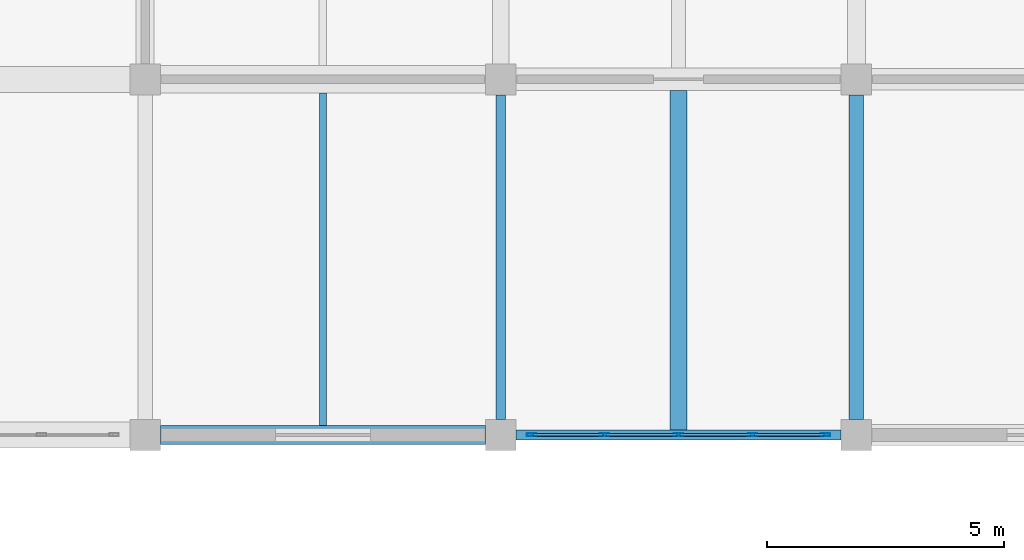
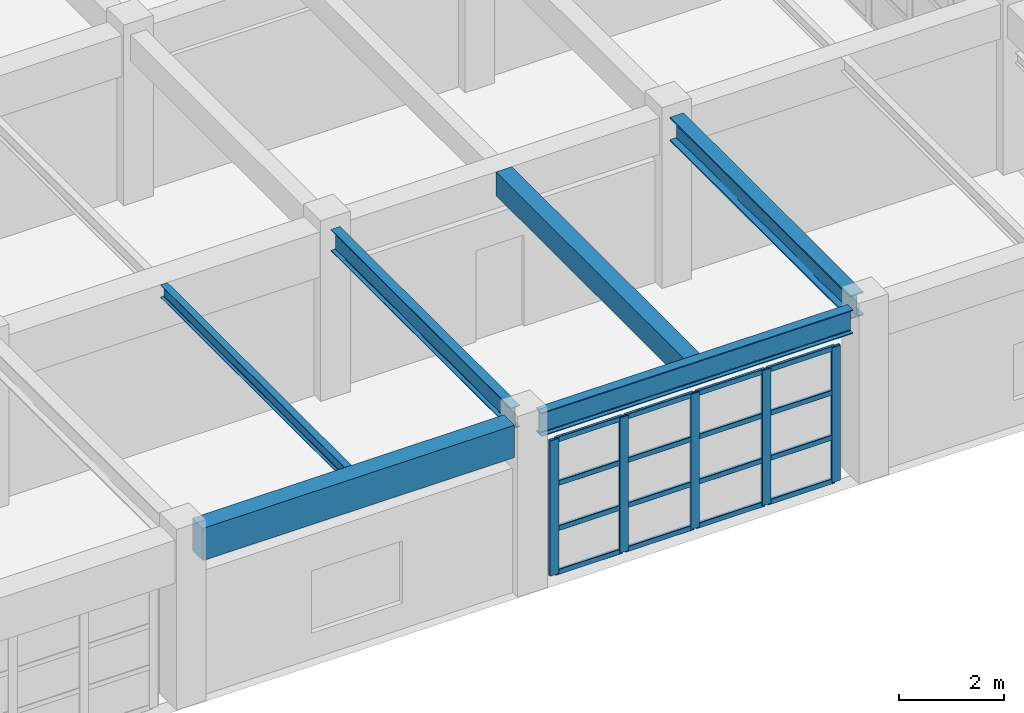
# One storey, part 45 of 132: 21 members, 6 beams, 1 element without a shape of its own.
"""IFC4 building model written with IfcOpenShell, lengths in metres."""

import ifcopenshell
import ifcopenshell.guid

model = None  # the IFC model being written
_history = None  # IfcOwnerHistory: only IFC2X3 demands one
_inside = {}  # id of a spatial element -> (the spatial element, [elements in it])
_under = {}  # id of a project, library or spatial element -> (it, [spatial elements below it])
_declared = {}  # id of a project -> (the project, [libraries it declares])
_typed = {}  # id of a type object -> (the type object, [elements of that type])
_made_of = {}  # id of a material, layer set ... -> (it, [elements and type objects made of it])


def new_model(schema):
    """Start an empty IFC model of exactly this schema.

    Asked for "IFC4X3", IfcOpenShell would pick the latest addendum, in which some entities
    have other attributes; the version numbers below select the first issue.
    IFC2X3 requires an IfcOwnerHistory on every rooted entity: one is made here for all.
    """
    global model, _history
    if schema == "IFC4X3":
        model = ifcopenshell.file(schema_version=(4, 3, 0, 0))
    else:
        model = ifcopenshell.file(schema=schema)
    _inside.clear()
    _under.clear()
    _declared.clear()
    _typed.clear()
    _made_of.clear()
    _history = None
    if model.schema == "IFC2X3":
        org = make("IfcOrganization", Name="unknown")
        user = make(
            "IfcPersonAndOrganization",
            ThePerson=make("IfcPerson", FamilyName="unknown"),
            TheOrganization=org,
        )
        app = make(
            "IfcApplication",
            ApplicationDeveloper=org,
            Version="unknown",
            ApplicationFullName="unknown",
            ApplicationIdentifier="unknown",
        )
        _history = make(
            "IfcOwnerHistory",
            OwningUser=user,
            OwningApplication=app,
            ChangeAction="ADDED",
            CreationDate=0,
        )
    return model


def make(cls, **values):
    """One entity of the class cls with the attributes given. An attribute that is None is left unset."""
    return model.create_entity(
        cls, **{name: value for name, value in values.items() if value is not None}
    )


def rooted(cls, **values):
    """An entity with a GlobalId (a new one), such as an element, a storey or a relation."""
    return make(cls, GlobalId=ifcopenshell.guid.new(), OwnerHistory=_history, **values)


def si_unit(unit_type, name, prefix=None):
    """IfcSIUnit, for example si_unit("LENGTHUNIT", "METRE", prefix="MILLI")."""
    return make("IfcSIUnit", UnitType=unit_type, Prefix=prefix, Name=name)


def assignment(units):
    """IfcUnitAssignment: the units of a project."""
    return None if units is None else make("IfcUnitAssignment", Units=units)


def point(xyz):
    """IfcCartesianPoint."""
    return None if xyz is None else make("IfcCartesianPoint", Coordinates=xyz)


def direction(xyz):
    """IfcDirection."""
    return None if xyz is None else make("IfcDirection", DirectionRatios=xyz)


def frame(location, z_axis=None, x_axis=None):
    """IfcAxis2Placement3D, a coordinate frame: its origin and axes. An axis left out is left unset."""
    return make(
        "IfcAxis2Placement3D",
        Location=point(location),
        Axis=direction(z_axis),
        RefDirection=direction(x_axis),
    )


def frame_2d(location, x_axis=None):
    """IfcAxis2Placement2D, a coordinate frame in the plane: its origin and x axis."""
    return make(
        "IfcAxis2Placement2D", Location=point(location), RefDirection=direction(x_axis)
    )


def origin():
    """The frame at (0, 0, 0) with its axes left unset."""
    return frame((0.0, 0.0, 0.0))


def origin_2d():
    """The frame at (0, 0) in the plane with its x axis left unset."""
    return frame_2d((0.0, 0.0))


def place(relative_to, where):
    """IfcLocalPlacement: puts the frame where relative to a parent placement (None: the world)."""
    return make(
        "IfcLocalPlacement", PlacementRelTo=relative_to, RelativePlacement=where
    )


def context(
    kind, dimensions, precision=None, world=None, true_north=None, identifier=None
):
    """IfcGeometricRepresentationContext, for example the 3D "Model" context."""
    return make(
        "IfcGeometricRepresentationContext",
        ContextIdentifier=identifier,
        ContextType=kind,
        CoordinateSpaceDimension=dimensions,
        Precision=precision,
        WorldCoordinateSystem=world,
        TrueNorth=true_north,
    )


def subcontext(parent, identifier, kind, view, scale=None):
    """IfcGeometricRepresentationSubContext, for example "Body" below "Model"."""
    return make(
        "IfcGeometricRepresentationSubContext",
        ContextIdentifier=identifier,
        ContextType=kind,
        ParentContext=parent,
        TargetScale=scale,
        TargetView=view,
    )


def project(units=None, contexts=None):
    """IfcProject with its units and contexts."""
    return rooted(
        "IfcProject",
        Name="project",
        RepresentationContexts=contexts,
        UnitsInContext=assignment(units),
    )


def spatial(cls, under=None, at=None, **own):
    """A site, building, storey or space (cls), placed at a placement, below another one or the project."""
    s = rooted(cls, ObjectPlacement=at, **own)
    if under is not None:
        _under.setdefault(under.id(), (under, []))[1].append(s)
    return s


def profile(cls, at=None, kind="AREA", **sizes):
    """A parametric profile (cls). Its sizes go by their IFC names, for example OverallWidth=200.0."""
    return make(cls, ProfileType=kind, Position=at, **sizes)


def rectangle(**sizes):
    """IfcRectangleProfileDef."""
    return profile("IfcRectangleProfileDef", **sizes)


def hollow_rectangle(**sizes):
    """IfcRectangleHollowProfileDef."""
    return profile("IfcRectangleHollowProfileDef", **sizes)


def i_section(**sizes):
    """IfcIShapeProfileDef."""
    return profile("IfcIShapeProfileDef", **sizes)


def extrude(swept, where, along, depth):
    """IfcExtrudedAreaSolid: the profile swept, set in the frame where, extruded along a direction by depth."""
    return make(
        "IfcExtrudedAreaSolid",
        SweptArea=swept,
        Position=where,
        ExtrudedDirection=direction(along),
        Depth=depth,
    )


def shape(context_of_items, identifier, shape_type, items):
    """IfcShapeRepresentation: the items that make up one representation, for example the "Body"."""
    return make(
        "IfcShapeRepresentation",
        ContextOfItems=context_of_items,
        RepresentationIdentifier=identifier,
        RepresentationType=shape_type,
        Items=items,
    )


def material(Name=None, Category=None):
    """IfcMaterial."""
    return make("IfcMaterial", Name=Name, Category=Category)


def material_profile(
    of_material, cross_section, Name=None, Category=None, Priority=None
):
    """IfcMaterialProfile: a cross section and its material."""
    return make(
        "IfcMaterialProfile",
        Name=Name,
        Material=of_material,
        Profile=cross_section,
        Priority=Priority,
        Category=Category,
    )


def profile_set(profiles, Name=None, composite=None):
    """IfcMaterialProfileSet."""
    return make(
        "IfcMaterialProfileSet",
        Name=Name,
        MaterialProfiles=profiles,
        CompositeProfile=composite,
    )


def made_of(thing, what):
    """Note that an element or type object is made of a material, layer set ...; save() writes the relation."""
    if what is not None:
        _made_of.setdefault(what.id(), (what, []))[1].append(thing)
    return thing


def type_object(cls, material=None, **own):
    """A type object (cls), such as IfcWallType, which elements share."""
    return made_of(rooted(cls, **own), material)


def element(
    cls,
    number,
    at=None,
    inside=None,
    cuts=None,
    type_object=None,
    material=None,
    context=None,
    identifier="Body",
    shape_type=None,
    held_by="IfcProductDefinitionShape",
    body=None,
    shapes=None,
    **own,
):
    """One element of the class cls, such as IfcWall. Its Tag is "e" and its number.

    at: its placement. inside: the storey or other place that contains it. cuts: it is an
    opening in that element (IfcRelVoidsElement). A single representation is given by context,
    identifier, shape_type and body (its items); several are given by shapes. held_by: the class
    of the entity that holds the representations. save() writes the other relations.
    """
    e = rooted(cls, Tag="e%d" % number, ObjectPlacement=at, **own)
    if body is not None:
        shapes = [shape(context, identifier, shape_type, body)]
    if shapes is not None:
        e.Representation = make(held_by, Representations=shapes)
    if inside is not None:
        _inside.setdefault(inside.id(), (inside, []))[1].append(e)
    if cuts is not None:
        rooted(
            "IfcRelVoidsElement", RelatingBuildingElement=cuts, RelatedOpeningElement=e
        )
    if type_object is not None:
        _typed.setdefault(type_object.id(), (type_object, []))[1].append(e)
    return made_of(e, material)


def aggregate(whole, parts):
    """IfcRelAggregates: a whole, such as a stair, and the parts it consists of."""
    return rooted("IfcRelAggregates", RelatingObject=whole, RelatedObjects=parts)


def save(model, path):
    """Write the relations noted so far, then the file.

    IfcRelAggregates (storeys below a building ...), IfcRelContainedInSpatialStructure (elements
    in a storey), IfcRelDefinesByType, IfcRelAssociatesMaterial and IfcRelDeclares: one each for
    every whole, place, type object, material and project.
    """
    for whole, parts in _under.values():
        aggregate(whole, parts)
    for where, things in _inside.values():
        rooted(
            "IfcRelContainedInSpatialStructure",
            RelatedElements=things,
            RelatingStructure=where,
        )
    for kind, things in _typed.values():
        rooted("IfcRelDefinesByType", RelatedObjects=things, RelatingType=kind)
    for what, things in _made_of.values():
        rooted("IfcRelAssociatesMaterial", RelatedObjects=things, RelatingMaterial=what)
    for by, libraries in _declared.values():
        rooted("IfcRelDeclares", RelatingContext=by, RelatedDefinitions=libraries)
    model.write(path)


model = new_model("IFC4")

# Units and contexts
model_context = context("Model", 3, precision=1e-05, world=origin(), true_north=direction((0.0, 1.0)))
body_context = subcontext(model_context, "Body", "Model", "MODEL_VIEW")
ifc_project = project(units=[si_unit("LENGTHUNIT", "METRE"), si_unit("AREAUNIT", "SQUARE_METRE"), si_unit("VOLUMEUNIT", "CUBIC_METRE"), si_unit("PLANEANGLEUNIT", "RADIAN"), si_unit("MASSUNIT", "GRAM", prefix="KILO")], contexts=[model_context])

# Site, building, storey
site_placement = place(None, origin())
site = spatial("IfcSite", under=ifc_project, at=site_placement, CompositionType="ELEMENT")
building_placement = place(site_placement, origin())
building = spatial("IfcBuilding", under=site, at=building_placement, Name="Qasida Concert Hall", CompositionType="ELEMENT")
storey_placement = place(building_placement, frame((0.0, 0.0, 4.800048828125)))
storey = spatial("IfcBuildingStorey", under=building, at=storey_placement, Name="L01", CompositionType="ELEMENT", Elevation=4.800048828125)

# Beams
ifc_material_1 = material(Name="Steel S355J2", Category="steel")
ifc_material_profile_1 = material_profile(ifc_material_1, i_section(OverallWidth=0.300048828125, OverallDepth=0.550048828125, WebThickness=0.014892578125, FlangeThickness=0.029052734375, FilletRadius=0.027099609375, at=origin_2d()), Name="HEB 550")
ifc_profile_set_1 = profile_set([ifc_material_profile_1], Name="Steel S355J2")
beam_type_1 = type_object("IfcBeamType", Name="BM-B12", PredefinedType="BEAM", material=ifc_profile_set_1)
beam_1_placement = place(storey_placement, frame((30.0, 75.324951171875, 3.64501953125), z_axis=(0.0, 1.0, 0.0), x_axis=(-1.0, 0.0, 0.0)))
element("IfcBeam", 1, at=beam_1_placement, inside=storey, type_object=beam_type_1, Name="L01 girder 1104", PredefinedType="BEAM", context=body_context, shape_type="SweptSolid", body=[
    extrude(i_section(OverallWidth=0.300048828125, OverallDepth=0.550048828125, WebThickness=0.014892578125, FlangeThickness=0.029052734375, FilletRadius=0.027099609375, at=origin_2d()), origin(), (0.0, 0.0, 1.0), 6.85009765625),
])
ifc_material_profile_2 = material_profile(ifc_material_1, i_section(OverallWidth=0.199951171875, OverallDepth=0.5, WebThickness=0.01025390625, FlangeThickness=0.01611328125, FilletRadius=0.02099609375, at=origin_2d()), Name="IPE 500")
ifc_profile_set_2 = profile_set([ifc_material_profile_2], Name="Steel S355J2")
beam_type_2 = type_object("IfcBeamType", Name="BM-B4", PredefinedType="BEAM", material=ifc_profile_set_2)
beam_2_placement = place(storey_placement, frame((22.5, 75.324951171875, 3.669921875), z_axis=(0.0, 1.0, 0.0), x_axis=(-1.0, 0.0, 0.0)))
element("IfcBeam", 2, at=beam_2_placement, inside=storey, type_object=beam_type_2, Name="L01 girder 1099", PredefinedType="BEAM", context=body_context, shape_type="SweptSolid", body=[
    extrude(i_section(OverallWidth=0.199951171875, OverallDepth=0.5, WebThickness=0.01025390625, FlangeThickness=0.01611328125, FilletRadius=0.02099609375, at=origin_2d()), origin(), (0.0, 0.0, 1.0), 6.85009765625),
])
ifc_material_profile_3 = material_profile(ifc_material_1, i_section(OverallWidth=0.14990234375, OverallDepth=0.300048828125, WebThickness=0.007080078125, FlangeThickness=0.0107421875, FilletRadius=0.014892578125, at=origin_2d()), Name="IPE 300")
ifc_profile_set_3 = profile_set([ifc_material_profile_3], Name="Steel S355J2")
beam_type_3 = type_object("IfcBeamType", Name="BM-J4", PredefinedType="JOIST", material=ifc_profile_set_3)
beam_3_placement = place(storey_placement, frame((18.75, 75.199951171875, 3.77001953125), z_axis=(0.0, 1.0, 0.0), x_axis=(-1.0, 0.0, 0.0)))
element("IfcBeam", 3, at=beam_3_placement, inside=storey, type_object=beam_type_3, Name="L01 secondary joist 1123", PredefinedType="JOIST", context=body_context, shape_type="SweptSolid", body=[
    extrude(i_section(OverallWidth=0.14990234375, OverallDepth=0.300048828125, WebThickness=0.007080078125, FlangeThickness=0.0107421875, FilletRadius=0.014892578125, at=origin_2d()), origin(), (0.0, 0.0, 1.0), 7.010009765625),
])
ifc_material_2 = material(Name="Concrete C40/50", Category="concrete")
ifc_material_profile_4 = material_profile(ifc_material_2, rectangle(XDim=0.35009765625, YDim=0.550048828125, at=origin_2d()), Name="RC 350x550")
ifc_profile_set_4 = profile_set([ifc_material_profile_4], Name="Concrete C40/50")
beam_type_4 = type_object("IfcBeamType", Name="BM-J8", PredefinedType="JOIST", material=ifc_profile_set_4)
beam_4_placement = place(storey_placement, frame((26.25, 75.10498046875, 3.64501953125), z_axis=(0.0, 1.0, 0.0), x_axis=(-1.0, 0.0, 0.0)))
element("IfcBeam", 4, at=beam_4_placement, inside=storey, type_object=beam_type_4, Name="L01 secondary joist 1127", PredefinedType="JOIST", context=body_context, shape_type="SweptSolid", body=[
    extrude(rectangle(XDim=0.35009765625, YDim=0.550048828125, at=origin_2d()), origin(), (0.0, 0.0, 1.0), 7.155029296875),
])
ifc_material_profile_5 = material_profile(ifc_material_2, rectangle(XDim=0.39990234375, YDim=0.75, at=origin_2d()), Name="RC 400x750")
ifc_profile_set_5 = profile_set([ifc_material_profile_5], Name="Concrete C40/50")
beam_type_5 = type_object("IfcBeamType", Name="BM-SP1", PredefinedType="SPANDREL", material=ifc_profile_set_5)
beam_5_placement = place(storey_placement, frame((15.324951171875, 75.0, 3.544921875), z_axis=(1.0, 0.0, 0.0), x_axis=(0.0, 1.0, 0.0)))
element("IfcBeam", 5, at=beam_5_placement, inside=storey, type_object=beam_type_5, Name="Primary girder 1066", PredefinedType="SPANDREL", context=body_context, shape_type="SweptSolid", body=[
    extrude(rectangle(XDim=0.39990234375, YDim=0.75, at=origin_2d()), origin(), (0.0, 0.0, 1.0), 6.85009765625),
])
ifc_material_profile_6 = material_profile(ifc_material_1, i_section(OverallWidth=0.2099609375, OverallDepth=0.550048828125, WebThickness=0.010986328125, FlangeThickness=0.01708984375, FilletRadius=0.02392578125, at=origin_2d()), Name="IPE 550")
ifc_profile_set_6 = profile_set([ifc_material_profile_6], Name="Steel S355J2")
beam_type_6 = type_object("IfcBeamType", Name="BM-SP2", PredefinedType="SPANDREL", material=ifc_profile_set_6)
beam_6_placement = place(storey_placement, frame((22.824951171875, 75.0, 3.64501953125), z_axis=(1.0, 0.0, 0.0), x_axis=(0.0, 1.0, 0.0)))
element("IfcBeam", 6, at=beam_6_placement, inside=storey, type_object=beam_type_6, Name="Primary girder 1067", PredefinedType="SPANDREL", context=body_context, shape_type="SweptSolid", body=[
    extrude(i_section(OverallWidth=0.2099609375, OverallDepth=0.550048828125, WebThickness=0.010986328125, FlangeThickness=0.01708984375, FilletRadius=0.02392578125, at=origin_2d()), origin(), (0.0, 0.0, 1.0), 6.85009765625),
])

# Curtain wall, members
ifc_material_3 = material(Name="Architectural bronze-anodized aluminium and low-E glass", Category="aluminium")
curtain_wall_type = type_object("IfcCurtainWallType", Name="CW-08", PredefinedType="NOTDEFINED", material=ifc_material_3)
curtain_wall_placement = place(storey_placement, origin())
curtain_wall = element("IfcCurtainWall", 7, at=curtain_wall_placement, inside=storey, type_object=curtain_wall_type, Name="L01 curtain wall CW-08 0185", PredefinedType="NOTDEFINED")
ifc_material_4 = material(Name="Architectural bronze-anodized aluminium EN AW-6063", Category="aluminium")
ifc_material_profile_7 = material_profile(ifc_material_4, hollow_rectangle(XDim=0.06494140625, YDim=0.199951171875, WallThickness=0.0048828125, InnerFilletRadius=0.0048828125, OuterFilletRadius=0.010009765625, at=origin_2d()), Name="CWM 200x65x5")
ifc_profile_set_7 = profile_set([ifc_material_profile_7], Name="Architectural bronze-anodized aluminium EN AW-6063")
member_type_1 = type_object("IfcMemberType", Name="MB-CWM-2", PredefinedType="MULLION", material=ifc_profile_set_7)
member_1_placement = place(storey_placement, frame((23.152587890625, 75.0, 0.0), z_axis=(0.0, 0.0, 1.0), x_axis=(0.0, 1.0, 0.0)))
member_1 = element("IfcMember", 8, at=member_1_placement, type_object=member_type_1, Name="CW-08 mullion 1", PredefinedType="MULLION", context=body_context, shape_type="SweptSolid", body=[
    extrude(hollow_rectangle(XDim=0.06494140625, YDim=0.199951171875, WallThickness=0.0048828125, InnerFilletRadius=0.0048828125, OuterFilletRadius=0.010009765625, at=origin_2d()), origin(), (0.0, 0.0, 1.0), 3.139892578125),
])
member_2_placement = place(storey_placement, frame((24.68505859375, 75.0, 0.0), z_axis=(0.0, 0.0, 1.0), x_axis=(0.0, 1.0, 0.0)))
member_2 = element("IfcMember", 9, at=member_2_placement, type_object=member_type_1, Name="CW-08 mullion 2", PredefinedType="MULLION", context=body_context, shape_type="SweptSolid", body=[
    extrude(hollow_rectangle(XDim=0.06494140625, YDim=0.199951171875, WallThickness=0.0048828125, InnerFilletRadius=0.0048828125, OuterFilletRadius=0.010009765625, at=origin_2d()), origin(), (0.0, 0.0, 1.0), 3.139892578125),
])
member_3_placement = place(storey_placement, frame((26.25, 75.0, 0.0), z_axis=(0.0, 0.0, 1.0), x_axis=(0.0, 1.0, 0.0)))
member_3 = element("IfcMember", 10, at=member_3_placement, type_object=member_type_1, Name="CW-08 mullion 3", PredefinedType="MULLION", context=body_context, shape_type="SweptSolid", body=[
    extrude(hollow_rectangle(XDim=0.06494140625, YDim=0.199951171875, WallThickness=0.0048828125, InnerFilletRadius=0.0048828125, OuterFilletRadius=0.010009765625, at=origin_2d()), origin(), (0.0, 0.0, 1.0), 3.139892578125),
])
member_4_placement = place(storey_placement, frame((27.81494140625, 75.0, 0.0), z_axis=(0.0, 0.0, 1.0), x_axis=(0.0, 1.0, 0.0)))
member_4 = element("IfcMember", 11, at=member_4_placement, type_object=member_type_1, Name="CW-08 mullion 4", PredefinedType="MULLION", context=body_context, shape_type="SweptSolid", body=[
    extrude(hollow_rectangle(XDim=0.06494140625, YDim=0.199951171875, WallThickness=0.0048828125, InnerFilletRadius=0.0048828125, OuterFilletRadius=0.010009765625, at=origin_2d()), origin(), (0.0, 0.0, 1.0), 3.139892578125),
])
member_5_placement = place(storey_placement, frame((29.347412109375, 75.0, 0.0), z_axis=(0.0, 0.0, 1.0), x_axis=(0.0, 1.0, 0.0)))
member_5 = element("IfcMember", 12, at=member_5_placement, type_object=member_type_1, Name="CW-08 mullion 5", PredefinedType="MULLION", context=body_context, shape_type="SweptSolid", body=[
    extrude(hollow_rectangle(XDim=0.06494140625, YDim=0.199951171875, WallThickness=0.0048828125, InnerFilletRadius=0.0048828125, OuterFilletRadius=0.010009765625, at=origin_2d()), origin(), (0.0, 0.0, 1.0), 3.139892578125),
])
ifc_material_profile_8 = material_profile(ifc_material_4, hollow_rectangle(XDim=0.06005859375, YDim=0.1201171875, WallThickness=0.00390625, InnerFilletRadius=0.00390625, OuterFilletRadius=0.008056640625, at=origin_2d()), Name="CWT 120x60x4")
ifc_profile_set_8 = profile_set([ifc_material_profile_8], Name="Architectural bronze-anodized aluminium EN AW-6063")
member_type_2 = type_object("IfcMemberType", Name="MB-CWT-2", PredefinedType="USERDEFINED", material=ifc_profile_set_8)
member_6_placement = place(storey_placement, frame((23.18505859375, 75.0, 0.030029296875), z_axis=(1.0, 0.0, 0.0), x_axis=(0.0, 1.0, 0.0)))
member_6 = element("IfcMember", 13, at=member_6_placement, type_object=member_type_2, Name="CW-08 transom 1.1", ObjectType="TRANSOM", PredefinedType="USERDEFINED", context=body_context, shape_type="SweptSolid", body=[
    extrude(hollow_rectangle(XDim=0.06005859375, YDim=0.1201171875, WallThickness=0.00390625, InnerFilletRadius=0.00390625, OuterFilletRadius=0.008056640625, at=origin_2d()), origin(), (0.0, 0.0, 1.0), 1.467529296875),
])
member_7_placement = place(storey_placement, frame((23.18505859375, 75.0, 1.046630859375), z_axis=(1.0, 0.0, 0.0), x_axis=(0.0, 1.0, 0.0)))
member_7 = element("IfcMember", 14, at=member_7_placement, type_object=member_type_2, Name="CW-08 transom 1.2", ObjectType="TRANSOM", PredefinedType="USERDEFINED", context=body_context, shape_type="SweptSolid", body=[
    extrude(hollow_rectangle(XDim=0.06005859375, YDim=0.1201171875, WallThickness=0.00390625, InnerFilletRadius=0.00390625, OuterFilletRadius=0.008056640625, at=origin_2d()), origin(), (0.0, 0.0, 1.0), 1.467529296875),
])
member_8_placement = place(storey_placement, frame((23.18505859375, 75.0, 2.09326171875), z_axis=(1.0, 0.0, 0.0), x_axis=(0.0, 1.0, 0.0)))
member_8 = element("IfcMember", 15, at=member_8_placement, type_object=member_type_2, Name="CW-08 transom 1.3", ObjectType="TRANSOM", PredefinedType="USERDEFINED", context=body_context, shape_type="SweptSolid", body=[
    extrude(hollow_rectangle(XDim=0.06005859375, YDim=0.1201171875, WallThickness=0.00390625, InnerFilletRadius=0.00390625, OuterFilletRadius=0.008056640625, at=origin_2d()), origin(), (0.0, 0.0, 1.0), 1.467529296875),
])
member_9_placement = place(storey_placement, frame((23.18505859375, 75.0, 3.10986328125), z_axis=(1.0, 0.0, 0.0), x_axis=(0.0, 1.0, 0.0)))
member_9 = element("IfcMember", 16, at=member_9_placement, type_object=member_type_2, Name="CW-08 transom 1.4", ObjectType="TRANSOM", PredefinedType="USERDEFINED", context=body_context, shape_type="SweptSolid", body=[
    extrude(hollow_rectangle(XDim=0.06005859375, YDim=0.1201171875, WallThickness=0.00390625, InnerFilletRadius=0.00390625, OuterFilletRadius=0.008056640625, at=origin_2d()), origin(), (0.0, 0.0, 1.0), 1.467529296875),
])
member_10_placement = place(storey_placement, frame((24.717529296875, 75.0, 0.030029296875), z_axis=(1.0, 0.0, 0.0), x_axis=(0.0, 1.0, 0.0)))
member_10 = element("IfcMember", 17, at=member_10_placement, type_object=member_type_2, Name="CW-08 transom 2.1", ObjectType="TRANSOM", PredefinedType="USERDEFINED", context=body_context, shape_type="SweptSolid", body=[
    extrude(hollow_rectangle(XDim=0.06005859375, YDim=0.1201171875, WallThickness=0.00390625, InnerFilletRadius=0.00390625, OuterFilletRadius=0.008056640625, at=origin_2d()), origin(), (0.0, 0.0, 1.0), 1.5),
])
member_11_placement = place(storey_placement, frame((24.717529296875, 75.0, 1.046630859375), z_axis=(1.0, 0.0, 0.0), x_axis=(0.0, 1.0, 0.0)))
member_11 = element("IfcMember", 18, at=member_11_placement, type_object=member_type_2, Name="CW-08 transom 2.2", ObjectType="TRANSOM", PredefinedType="USERDEFINED", context=body_context, shape_type="SweptSolid", body=[
    extrude(hollow_rectangle(XDim=0.06005859375, YDim=0.1201171875, WallThickness=0.00390625, InnerFilletRadius=0.00390625, OuterFilletRadius=0.008056640625, at=origin_2d()), origin(), (0.0, 0.0, 1.0), 1.5),
])
member_12_placement = place(storey_placement, frame((24.717529296875, 75.0, 2.09326171875), z_axis=(1.0, 0.0, 0.0), x_axis=(0.0, 1.0, 0.0)))
member_12 = element("IfcMember", 19, at=member_12_placement, type_object=member_type_2, Name="CW-08 transom 2.3", ObjectType="TRANSOM", PredefinedType="USERDEFINED", context=body_context, shape_type="SweptSolid", body=[
    extrude(hollow_rectangle(XDim=0.06005859375, YDim=0.1201171875, WallThickness=0.00390625, InnerFilletRadius=0.00390625, OuterFilletRadius=0.008056640625, at=origin_2d()), origin(), (0.0, 0.0, 1.0), 1.5),
])
member_13_placement = place(storey_placement, frame((24.717529296875, 75.0, 3.10986328125), z_axis=(1.0, 0.0, 0.0), x_axis=(0.0, 1.0, 0.0)))
member_13 = element("IfcMember", 20, at=member_13_placement, type_object=member_type_2, Name="CW-08 transom 2.4", ObjectType="TRANSOM", PredefinedType="USERDEFINED", context=body_context, shape_type="SweptSolid", body=[
    extrude(hollow_rectangle(XDim=0.06005859375, YDim=0.1201171875, WallThickness=0.00390625, InnerFilletRadius=0.00390625, OuterFilletRadius=0.008056640625, at=origin_2d()), origin(), (0.0, 0.0, 1.0), 1.5),
])
member_14_placement = place(storey_placement, frame((26.282470703125, 75.0, 0.030029296875), z_axis=(1.0, 0.0, 0.0), x_axis=(0.0, 1.0, 0.0)))
member_14 = element("IfcMember", 21, at=member_14_placement, type_object=member_type_2, Name="CW-08 transom 3.1", ObjectType="TRANSOM", PredefinedType="USERDEFINED", context=body_context, shape_type="SweptSolid", body=[
    extrude(hollow_rectangle(XDim=0.06005859375, YDim=0.1201171875, WallThickness=0.00390625, InnerFilletRadius=0.00390625, OuterFilletRadius=0.008056640625, at=origin_2d()), origin(), (0.0, 0.0, 1.0), 1.5),
])
member_15_placement = place(storey_placement, frame((26.282470703125, 75.0, 1.046630859375), z_axis=(1.0, 0.0, 0.0), x_axis=(0.0, 1.0, 0.0)))
member_15 = element("IfcMember", 22, at=member_15_placement, type_object=member_type_2, Name="CW-08 transom 3.2", ObjectType="TRANSOM", PredefinedType="USERDEFINED", context=body_context, shape_type="SweptSolid", body=[
    extrude(hollow_rectangle(XDim=0.06005859375, YDim=0.1201171875, WallThickness=0.00390625, InnerFilletRadius=0.00390625, OuterFilletRadius=0.008056640625, at=origin_2d()), origin(), (0.0, 0.0, 1.0), 1.5),
])
member_16_placement = place(storey_placement, frame((26.282470703125, 75.0, 2.09326171875), z_axis=(1.0, 0.0, 0.0), x_axis=(0.0, 1.0, 0.0)))
member_16 = element("IfcMember", 23, at=member_16_placement, type_object=member_type_2, Name="CW-08 transom 3.3", ObjectType="TRANSOM", PredefinedType="USERDEFINED", context=body_context, shape_type="SweptSolid", body=[
    extrude(hollow_rectangle(XDim=0.06005859375, YDim=0.1201171875, WallThickness=0.00390625, InnerFilletRadius=0.00390625, OuterFilletRadius=0.008056640625, at=origin_2d()), origin(), (0.0, 0.0, 1.0), 1.5),
])
member_17_placement = place(storey_placement, frame((26.282470703125, 75.0, 3.10986328125), z_axis=(1.0, 0.0, 0.0), x_axis=(0.0, 1.0, 0.0)))
member_17 = element("IfcMember", 24, at=member_17_placement, type_object=member_type_2, Name="CW-08 transom 3.4", ObjectType="TRANSOM", PredefinedType="USERDEFINED", context=body_context, shape_type="SweptSolid", body=[
    extrude(hollow_rectangle(XDim=0.06005859375, YDim=0.1201171875, WallThickness=0.00390625, InnerFilletRadius=0.00390625, OuterFilletRadius=0.008056640625, at=origin_2d()), origin(), (0.0, 0.0, 1.0), 1.5),
])
member_18_placement = place(storey_placement, frame((27.847412109375, 75.0, 0.030029296875), z_axis=(1.0, 0.0, 0.0), x_axis=(0.0, 1.0, 0.0)))
member_18 = element("IfcMember", 25, at=member_18_placement, type_object=member_type_2, Name="CW-08 transom 4.1", ObjectType="TRANSOM", PredefinedType="USERDEFINED", context=body_context, shape_type="SweptSolid", body=[
    extrude(hollow_rectangle(XDim=0.06005859375, YDim=0.1201171875, WallThickness=0.00390625, InnerFilletRadius=0.00390625, OuterFilletRadius=0.008056640625, at=origin_2d()), origin(), (0.0, 0.0, 1.0), 1.467529296875),
])
member_19_placement = place(storey_placement, frame((27.847412109375, 75.0, 1.046630859375), z_axis=(1.0, 0.0, 0.0), x_axis=(0.0, 1.0, 0.0)))
member_19 = element("IfcMember", 26, at=member_19_placement, type_object=member_type_2, Name="CW-08 transom 4.2", ObjectType="TRANSOM", PredefinedType="USERDEFINED", context=body_context, shape_type="SweptSolid", body=[
    extrude(hollow_rectangle(XDim=0.06005859375, YDim=0.1201171875, WallThickness=0.00390625, InnerFilletRadius=0.00390625, OuterFilletRadius=0.008056640625, at=origin_2d()), origin(), (0.0, 0.0, 1.0), 1.467529296875),
])
member_20_placement = place(storey_placement, frame((27.847412109375, 75.0, 2.09326171875), z_axis=(1.0, 0.0, 0.0), x_axis=(0.0, 1.0, 0.0)))
member_20 = element("IfcMember", 27, at=member_20_placement, type_object=member_type_2, Name="CW-08 transom 4.3", ObjectType="TRANSOM", PredefinedType="USERDEFINED", context=body_context, shape_type="SweptSolid", body=[
    extrude(hollow_rectangle(XDim=0.06005859375, YDim=0.1201171875, WallThickness=0.00390625, InnerFilletRadius=0.00390625, OuterFilletRadius=0.008056640625, at=origin_2d()), origin(), (0.0, 0.0, 1.0), 1.467529296875),
])
member_21_placement = place(storey_placement, frame((27.847412109375, 75.0, 3.10986328125), z_axis=(1.0, 0.0, 0.0), x_axis=(0.0, 1.0, 0.0)))
member_21 = element("IfcMember", 28, at=member_21_placement, type_object=member_type_2, Name="CW-08 transom 4.4", ObjectType="TRANSOM", PredefinedType="USERDEFINED", context=body_context, shape_type="SweptSolid", body=[
    extrude(hollow_rectangle(XDim=0.06005859375, YDim=0.1201171875, WallThickness=0.00390625, InnerFilletRadius=0.00390625, OuterFilletRadius=0.008056640625, at=origin_2d()), origin(), (0.0, 0.0, 1.0), 1.467529296875),
])
aggregate(curtain_wall, [member_1, member_2, member_3, member_4, member_5, member_6, member_7, member_8, member_9, member_10, member_11, member_12, member_13, member_14, member_15, member_16, member_17, member_18, member_19, member_20, member_21])

save(model, "model.ifc")
